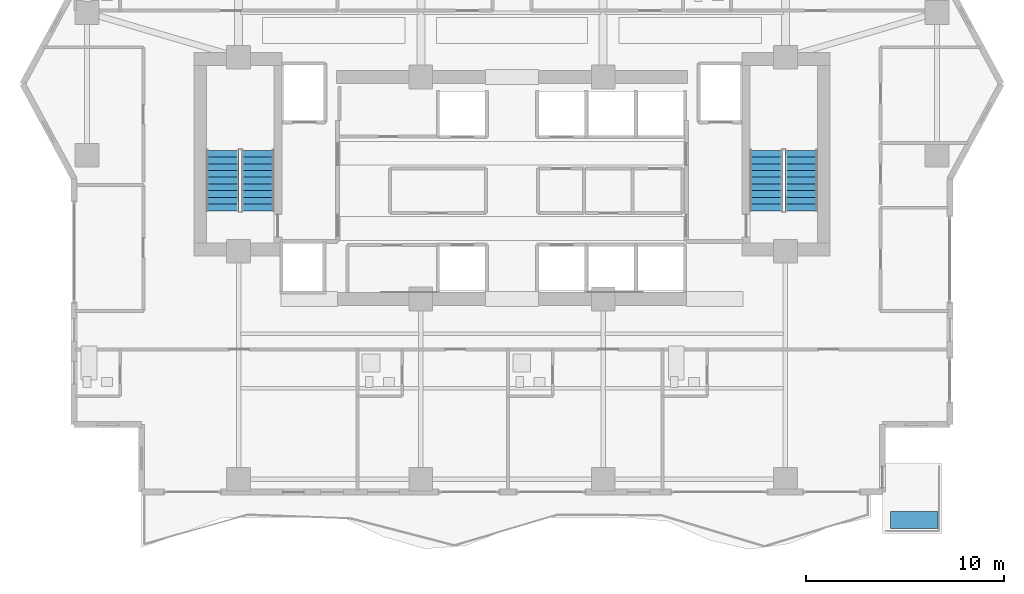
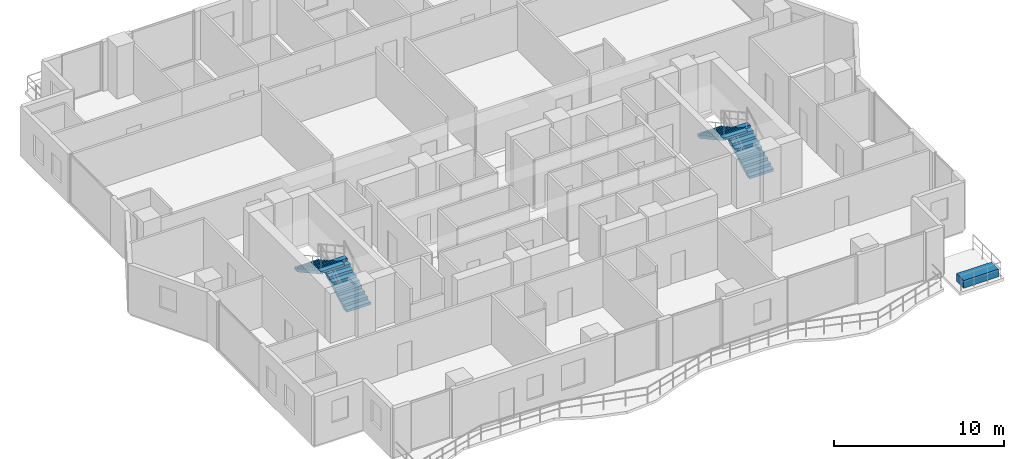
# One storey, part 29 of 33: 4 stair flights, 1 building element part, 2 elements without a shape of their own.
"""IFC4 building model written with IfcOpenShell, lengths in metres."""

from ifc_helpers import new_model, si_unit, direction, frame, origin, origin_2d, place, context, subcontext, project, spatial, polyline, rectangle, outline, extrude, material, layer, layer_set, type_object, element, aggregate, save


model = new_model("IFC4")

# Units and contexts
model_context = context("Model", 3, precision=1e-05, world=origin(), true_north=direction((0.0, 1.0)))
body_context = subcontext(model_context, "Body", "Model", "MODEL_VIEW")
ifc_project = project(units=[si_unit("LENGTHUNIT", "METRE"), si_unit("AREAUNIT", "SQUARE_METRE"), si_unit("VOLUMEUNIT", "CUBIC_METRE"), si_unit("PLANEANGLEUNIT", "RADIAN"), si_unit("MASSUNIT", "GRAM", prefix="KILO")], contexts=[model_context])

# Site, building, storey
site_placement = place(None, origin())
site = spatial("IfcSite", under=ifc_project, at=site_placement, CompositionType="ELEMENT")
building_placement = place(site_placement, origin())
building = spatial("IfcBuilding", under=site, at=building_placement, Name="Zuhayl Quay Hotel", CompositionType="ELEMENT")
storey_placement = place(building_placement, frame((0.0, 0.0, 207.39990234375)))
storey = spatial("IfcBuildingStorey", under=building, at=storey_placement, Name="L52", CompositionType="ELEMENT", Elevation=207.39990234375)

# Stair, stair flights
ifc_material_1 = material(Name="Concrete C45/55", Category="concrete")
stair_type = type_object("IfcStairType", Name="ST_DOGLEG_TOWER", PredefinedType="HALF_TURN_STAIR", material=ifc_material_1)
stair_1_placement = place(storey_placement, origin())
stair_1 = element("IfcStair", 1, at=stair_1_placement, inside=storey, type_object=stair_type, Name="L52 Smokeproof Exit Stair ST1", PredefinedType="HALF_TURN_STAIR")
ifc_layer_1 = layer(ifc_material_1, 0.159912109375, Name="Concrete C45/55", Category="concrete")
ifc_layer_set_1 = layer_set([ifc_layer_1], Name="Concrete C45/55")
stair_flight_type = type_object("IfcStairFlightType", Name="SF_CONC_164", PredefinedType="STRAIGHT", material=ifc_layer_set_1)
stair_flight_1_placement = place(storey_placement, frame((-12.820068359375, 6.590087890625, 0.0), z_axis=(0.0, 0.0, 1.0), x_axis=(0.0, 1.0, 0.0)))
stair_flight_1 = element("IfcStairFlight", 2, at=stair_flight_1_placement, type_object=stair_flight_type, Name="ST1 flight 1", NumberOfRisers=10, NumberOfTreads=9, PredefinedType="STRAIGHT", RiserHeight=0.1875, TreadLength=0.34, context=body_context, shape_type="SweptSolid", body=[
    extrude(outline(polyline([(0.0, 0.0), (0.0, 0.1875), (0.340087890625, 0.1875), (0.340087890625, 0.375), (0.679931640625, 0.375), (0.679931640625, 0.5625), (1.02001953125, 0.5625), (1.02001953125, 0.75), (1.360107421875, 0.75), (1.360107421875, 0.9375), (1.699951171875, 0.9375), (1.699951171875, 1.125), (2.0400390625, 1.125), (2.0400390625, 1.3125), (2.3798828125, 1.3125), (2.3798828125, 1.5), (2.719970703125, 1.5), (2.719970703125, 1.6875), (3.06005859375, 1.6875), (3.06005859375, 1.875), (3.06005859375, 1.516357421875), (0.310302734375, 0.0), (0.0, 0.0)])), frame((0.0, 0.81982421875, 0.0), z_axis=(0.0, -1.0, 0.0), x_axis=(1.0, 0.0, 0.0)), (0.0, 0.0, 1.0), 1.639892578125),
])
stair_flight_2_placement = place(storey_placement, frame((-14.610107421875, 9.64990234375, 1.875), z_axis=(0.0, 0.0, 1.0), x_axis=(0.0, -1.0, 0.0)))
stair_flight_2 = element("IfcStairFlight", 3, at=stair_flight_2_placement, type_object=stair_flight_type, Name="ST1 flight 2", NumberOfRisers=10, NumberOfTreads=9, PredefinedType="STRAIGHT", RiserHeight=0.1875, TreadLength=0.34, context=body_context, shape_type="SweptSolid", body=[
    extrude(outline(polyline([(0.0, 0.0), (0.0, 0.1875), (0.340087890625, 0.1875), (0.340087890625, 0.375), (0.679931640625, 0.375), (0.679931640625, 0.5625), (1.02001953125, 0.5625), (1.02001953125, 0.75), (1.360107421875, 0.75), (1.360107421875, 0.9375), (1.699951171875, 0.9375), (1.699951171875, 1.125), (2.0400390625, 1.125), (2.0400390625, 1.3125), (2.3798828125, 1.3125), (2.3798828125, 1.5), (2.719970703125, 1.5), (2.719970703125, 1.6875), (3.06005859375, 1.6875), (3.06005859375, 1.875), (3.06005859375, 1.516357421875), (0.310302734375, 0.0), (0.0, 0.0)])), frame((0.0, 0.81982421875, 0.0), z_axis=(0.0, -1.0, 0.0), x_axis=(1.0, 0.0, 0.0)), (0.0, 0.0, 1.0), 1.639892578125),
])
aggregate(stair_1, [stair_flight_1, stair_flight_2])

stair_2_placement = place(storey_placement, origin())
stair_2 = element("IfcStair", 4, at=stair_2_placement, inside=storey, type_object=stair_type, Name="L52 Smokeproof Exit Stair ST2", PredefinedType="HALF_TURN_STAIR")
stair_flight_3_placement = place(storey_placement, frame((14.610107421875, 6.590087890625, 0.0), z_axis=(0.0, 0.0, 1.0), x_axis=(0.0, 1.0, 0.0)))
stair_flight_3 = element("IfcStairFlight", 5, at=stair_flight_3_placement, type_object=stair_flight_type, Name="ST2 flight 1", NumberOfRisers=10, NumberOfTreads=9, PredefinedType="STRAIGHT", RiserHeight=0.1875, TreadLength=0.34, context=body_context, shape_type="SweptSolid", body=[
    extrude(outline(polyline([(0.0, 0.0), (0.0, 0.1875), (0.340087890625, 0.1875), (0.340087890625, 0.375), (0.679931640625, 0.375), (0.679931640625, 0.5625), (1.02001953125, 0.5625), (1.02001953125, 0.75), (1.360107421875, 0.75), (1.360107421875, 0.9375), (1.699951171875, 0.9375), (1.699951171875, 1.125), (2.0400390625, 1.125), (2.0400390625, 1.3125), (2.3798828125, 1.3125), (2.3798828125, 1.5), (2.719970703125, 1.5), (2.719970703125, 1.6875), (3.06005859375, 1.6875), (3.06005859375, 1.875), (3.06005859375, 1.516357421875), (0.310302734375, 0.0), (0.0, 0.0)])), frame((0.0, 0.81982421875, 0.0), z_axis=(0.0, -1.0, 0.0), x_axis=(1.0, 0.0, 0.0)), (0.0, 0.0, 1.0), 1.639892578125),
])
stair_flight_4_placement = place(storey_placement, frame((12.820068359375, 9.64990234375, 1.875), z_axis=(0.0, 0.0, 1.0), x_axis=(0.0, -1.0, 0.0)))
stair_flight_4 = element("IfcStairFlight", 6, at=stair_flight_4_placement, type_object=stair_flight_type, Name="ST2 flight 2", NumberOfRisers=10, NumberOfTreads=9, PredefinedType="STRAIGHT", RiserHeight=0.1875, TreadLength=0.34, context=body_context, shape_type="SweptSolid", body=[
    extrude(outline(polyline([(0.0, 0.0), (0.0, 0.1875), (0.340087890625, 0.1875), (0.340087890625, 0.375), (0.679931640625, 0.375), (0.679931640625, 0.5625), (1.02001953125, 0.5625), (1.02001953125, 0.75), (1.360107421875, 0.75), (1.360107421875, 0.9375), (1.699951171875, 0.9375), (1.699951171875, 1.125), (2.0400390625, 1.125), (2.0400390625, 1.3125), (2.3798828125, 1.3125), (2.3798828125, 1.5), (2.719970703125, 1.5), (2.719970703125, 1.6875), (3.06005859375, 1.6875), (3.06005859375, 1.875), (3.06005859375, 1.516357421875), (0.310302734375, 0.0), (0.0, 0.0)])), frame((0.0, 0.81982421875, 0.0), z_axis=(0.0, -1.0, 0.0), x_axis=(1.0, 0.0, 0.0)), (0.0, 0.0, 1.0), 1.639892578125),
])
aggregate(stair_2, [stair_flight_3, stair_flight_4])

# Building element part
ifc_material_2 = material(Name="Precast concrete C45/55", Category="concrete")
ifc_layer_2 = layer(ifc_material_2, 0.550048828125, Name="Precast concrete C45/55", Category="concrete")
ifc_layer_set_2 = layer_set([ifc_layer_2], Name="Precast concrete C45/55")
building_element_part_type = type_object("IfcBuildingElementPartType", Name="PT_PLANTER_KERB", PredefinedType="PRECASTPANEL", material=ifc_layer_set_2)
building_element_part_placement = place(storey_placement, frame((20.31005859375, -9.010009765625, 0.0), z_axis=(0.0, 0.0, 1.0), x_axis=(1.0, 0.0, 0.0)))
element("IfcBuildingElementPart", 7, at=building_element_part_placement, inside=storey, type_object=building_element_part_type, Name="L52 Spiral Sky-Terrace Planter Box SE", PredefinedType="PRECASTPANEL", context=body_context, shape_type="SweptSolid", body=[
    extrude(rectangle(XDim=2.39990234375, YDim=0.85009765625, at=origin_2d()), origin(), (0.0, 0.0, 1.0), 0.550048828125),
])

save(model, "model.ifc")
